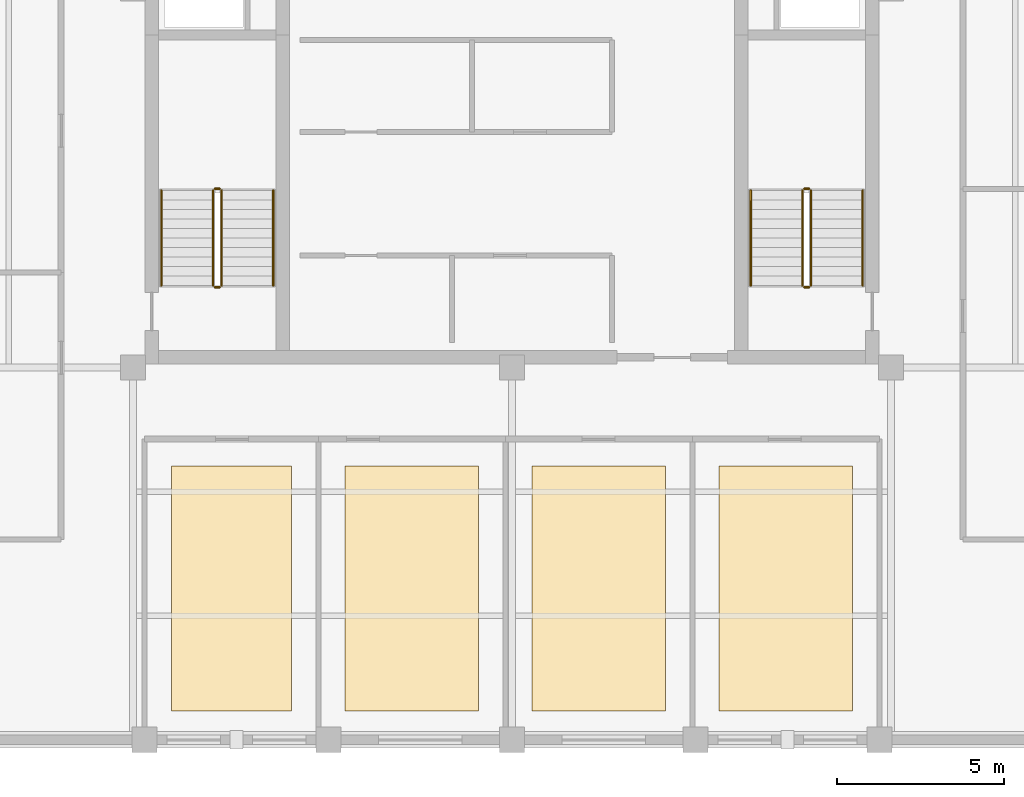
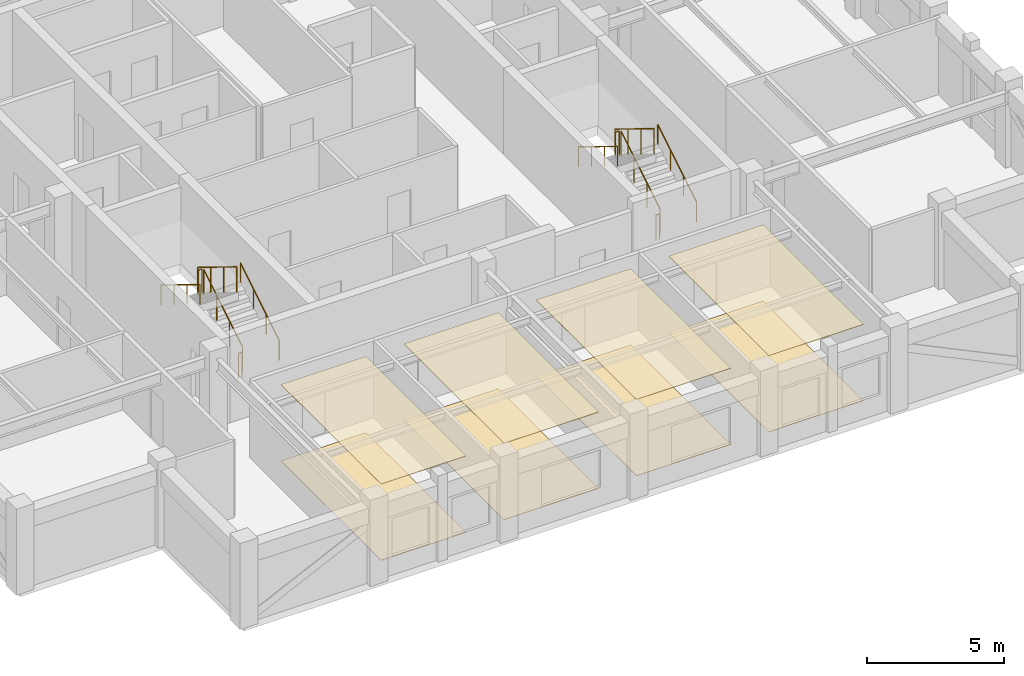
# One storey, part 9 of 10: 12 railings, 8 coverings.
"""IFC4 building model written with IfcOpenShell, lengths in metres."""

from ifc_helpers import new_model, si_unit, direction, frame, origin, origin_2d, place, context, subcontext, project, spatial, polyline, circle, outline, extrude, material, layer, layer_set, type_object, element, save


model = new_model("IFC4")

# Units and contexts
model_context = context("Model", 3, precision=1e-05, world=origin(), true_north=direction((0.0, 1.0)))
body_context = subcontext(model_context, "Body", "Model", "MODEL_VIEW")
ifc_project = project(units=[si_unit("LENGTHUNIT", "METRE"), si_unit("AREAUNIT", "SQUARE_METRE"), si_unit("VOLUMEUNIT", "CUBIC_METRE"), si_unit("PLANEANGLEUNIT", "RADIAN"), si_unit("MASSUNIT", "GRAM", prefix="KILO")], contexts=[model_context])

# Site, building, storey
site_placement = place(None, origin())
site = spatial("IfcSite", under=ifc_project, at=site_placement, CompositionType="ELEMENT")
building_placement = place(site_placement, origin())
building = spatial("IfcBuilding", under=site, at=building_placement, Name="Nhamokura Convention Tower", CompositionType="ELEMENT")
storey_placement = place(building_placement, frame((0.0, 0.0, 262.14990234375)))
storey = spatial("IfcBuildingStorey", under=building, at=storey_placement, Name="L64", CompositionType="ELEMENT", Elevation=262.14990234375)

# Coverings
ifc_material_1 = material(Name="Mineral-fibre acoustic ceiling tile", Category="gypsum")
ifc_layer_1 = layer(ifc_material_1, 0.02490234375)
ifc_layer_set_1 = layer_set([ifc_layer_1], Name="AcousticTileCeiling_25")
covering_type_1 = type_object("IfcCoveringType", Name="AcousticTileCeiling_25", PredefinedType="CEILING", material=ifc_layer_set_1)
covering_1_placement = place(storey_placement, frame((0.0, 0.0, 3.405029296875)))
element("IfcCovering", 1, at=covering_1_placement, inside=storey, type_object=covering_type_1, Name="L64 Suspended Ceiling 01", PredefinedType="CEILING", context=body_context, shape_type="SweptSolid", body=[
    extrude(outline(polyline([(21.800048828125, 10.360107421875), (25.39990234375, 10.360107421875), (25.39990234375, 17.699951171875), (21.800048828125, 17.699951171875), (21.800048828125, 10.360107421875)])), origin(), (0.0, 0.0, 1.0), 0.025146484375),
])
covering_2_placement = place(storey_placement, frame((0.0, 0.0, 3.405029296875)))
element("IfcCovering", 2, at=covering_2_placement, inside=storey, type_object=covering_type_1, Name="L64 Suspended Ceiling 02", PredefinedType="CEILING", context=body_context, shape_type="SweptSolid", body=[
    extrude(outline(polyline([(27.0, 10.360107421875), (31.0, 10.360107421875), (31.0, 17.699951171875), (27.0, 17.699951171875), (27.0, 10.360107421875)])), origin(), (0.0, 0.0, 1.0), 0.025146484375),
])
covering_3_placement = place(storey_placement, frame((0.0, 0.0, 3.405029296875)))
element("IfcCovering", 3, at=covering_3_placement, inside=storey, type_object=covering_type_1, Name="L64 Suspended Ceiling 03", PredefinedType="CEILING", context=body_context, shape_type="SweptSolid", body=[
    extrude(outline(polyline([(32.60009765625, 10.360107421875), (36.60009765625, 10.360107421875), (36.60009765625, 17.699951171875), (32.60009765625, 17.699951171875), (32.60009765625, 10.360107421875)])), origin(), (0.0, 0.0, 1.0), 0.025146484375),
])
covering_4_placement = place(storey_placement, frame((0.0, 0.0, 3.405029296875)))
element("IfcCovering", 4, at=covering_4_placement, inside=storey, type_object=covering_type_1, Name="L64 Suspended Ceiling 04", PredefinedType="CEILING", context=body_context, shape_type="SweptSolid", body=[
    extrude(outline(polyline([(38.199951171875, 10.360107421875), (42.199951171875, 10.360107421875), (42.199951171875, 17.699951171875), (38.199951171875, 17.699951171875), (38.199951171875, 10.360107421875)])), origin(), (0.0, 0.0, 1.0), 0.025146484375),
])

# Railings
ifc_material_2 = material(Name="Anodised bronze stainless steel", Category="steel")
railing_type_1 = type_object("IfcRailingType", Name="StairWallHandrail_900", PredefinedType="HANDRAIL", material=ifc_material_2)
railing_1_placement = place(storey_placement, frame((24.85009765625, 23.10009765625, 0.175048828125)))
element("IfcRailing", 5, at=railing_1_placement, inside=storey, type_object=railing_type_1, Name="L64 ST-01 stair handrail 1", PredefinedType="HANDRAIL", context=body_context, shape_type="SweptSolid", body=[
    extrude(circle(Radius=0.02392578125, at=origin_2d()), frame((0.0, 0.0, 0.8759765625), z_axis=(0.0, 0.852159232446, 0.523282564737), x_axis=(-1.0, 0.0, 0.0)), (0.0, 0.0, 1.0), 3.34423828125),
    extrude(circle(Radius=0.02099609375, at=origin_2d()), origin(), (0.0, 0.0, 1.0), 0.851806640625),
    extrude(circle(Radius=0.02099609375, at=origin_2d()), frame((0.0, 0.949951171875, 0.583251953125)), (0.0, 0.0, 1.0), 0.851806640625),
    extrude(circle(Radius=0.02099609375, at=origin_2d()), frame((0.0, 1.89990234375, 1.166748046875)), (0.0, 0.0, 1.0), 0.851806640625),
    extrude(circle(Radius=0.02099609375, at=origin_2d()), frame((0.0, 2.849853515625, 1.75)), (0.0, 0.0, 1.0), 0.851806640625),
])
railing_2_placement = place(storey_placement, frame((21.5, 25.949951171875, 2.10009765625)))
element("IfcRailing", 6, at=railing_2_placement, inside=storey, type_object=railing_type_1, Name="L64 ST-01 stair handrail 2", PredefinedType="HANDRAIL", context=body_context, shape_type="SweptSolid", body=[
    extrude(circle(Radius=0.02392578125, at=origin_2d()), frame((0.0, 0.0, 0.8759765625), z_axis=(0.0, -0.852159232446, 0.523282564737), x_axis=(1.0, 0.0, 0.0)), (0.0, 0.0, 1.0), 3.34423828125),
    extrude(circle(Radius=0.02099609375, at=origin_2d()), origin(), (0.0, 0.0, 1.0), 0.851806640625),
    extrude(circle(Radius=0.02099609375, at=origin_2d()), frame((0.0, -0.949951171875, 0.583251953125)), (0.0, 0.0, 1.0), 0.851806640625),
    extrude(circle(Radius=0.02099609375, at=origin_2d()), frame((0.0, -1.89990234375, 1.166748046875)), (0.0, 0.0, 1.0), 0.851806640625),
    extrude(circle(Radius=0.02099609375, at=origin_2d()), frame((0.0, -2.849853515625, 1.75)), (0.0, 0.0, 1.0), 0.851806640625),
])
railing_3_placement = place(storey_placement, frame((42.5, 23.10009765625, 0.175048828125)))
element("IfcRailing", 7, at=railing_3_placement, inside=storey, type_object=railing_type_1, Name="L64 ST-02 stair handrail 1", PredefinedType="HANDRAIL", context=body_context, shape_type="SweptSolid", body=[
    extrude(circle(Radius=0.02392578125, at=origin_2d()), frame((0.0, 0.0, 0.8759765625), z_axis=(0.0, 0.852159232446, 0.523282564737), x_axis=(-1.0, 0.0, 0.0)), (0.0, 0.0, 1.0), 3.34423828125),
    extrude(circle(Radius=0.02099609375, at=origin_2d()), origin(), (0.0, 0.0, 1.0), 0.851806640625),
    extrude(circle(Radius=0.02099609375, at=origin_2d()), frame((0.0, 0.949951171875, 0.583251953125)), (0.0, 0.0, 1.0), 0.851806640625),
    extrude(circle(Radius=0.02099609375, at=origin_2d()), frame((0.0, 1.89990234375, 1.166748046875)), (0.0, 0.0, 1.0), 0.851806640625),
    extrude(circle(Radius=0.02099609375, at=origin_2d()), frame((0.0, 2.849853515625, 1.75)), (0.0, 0.0, 1.0), 0.851806640625),
])
railing_4_placement = place(storey_placement, frame((39.14990234375, 25.949951171875, 2.10009765625)))
element("IfcRailing", 8, at=railing_4_placement, inside=storey, type_object=railing_type_1, Name="L64 ST-02 stair handrail 2", PredefinedType="HANDRAIL", context=body_context, shape_type="SweptSolid", body=[
    extrude(circle(Radius=0.02392578125, at=origin_2d()), frame((0.0, 0.0, 0.8759765625), z_axis=(0.0, -0.852159232446, 0.523282564737), x_axis=(1.0, 0.0, 0.0)), (0.0, 0.0, 1.0), 3.34423828125),
    extrude(circle(Radius=0.02099609375, at=origin_2d()), origin(), (0.0, 0.0, 1.0), 0.851806640625),
    extrude(circle(Radius=0.02099609375, at=origin_2d()), frame((0.0, -0.949951171875, 0.583251953125)), (0.0, 0.0, 1.0), 0.851806640625),
    extrude(circle(Radius=0.02099609375, at=origin_2d()), frame((0.0, -1.89990234375, 1.166748046875)), (0.0, 0.0, 1.0), 0.851806640625),
    extrude(circle(Radius=0.02099609375, at=origin_2d()), frame((0.0, -2.849853515625, 1.75)), (0.0, 0.0, 1.0), 0.851806640625),
])
ifc_material_3 = material(Name="Painted tubular steel", Category="steel")
railing_type_2 = type_object("IfcRailingType", Name="StairWellGuardrail_1150", PredefinedType="GUARDRAIL", material=ifc_material_3)
railing_5_placement = place(storey_placement, frame((23.300048828125, 23.10009765625, 0.175048828125)))
element("IfcRailing", 9, at=railing_5_placement, inside=storey, type_object=railing_type_2, Name="L64 ST-01 stair guard 1", PredefinedType="GUARDRAIL", context=body_context, shape_type="SweptSolid", body=[
    extrude(circle(Radius=0.02392578125, at=origin_2d()), frame((0.0, 0.0, 1.1259765625), z_axis=(0.0, 0.852159232446, 0.523282564737), x_axis=(-1.0, 0.0, 0.0)), (0.0, 0.0, 1.0), 3.34423828125),
    extrude(circle(Radius=0.02099609375, at=origin_2d()), origin(), (0.0, 0.0, 1.0), 1.101806640625),
    extrude(circle(Radius=0.02099609375, at=origin_2d()), frame((0.0, 0.949951171875, 0.583251953125)), (0.0, 0.0, 1.0), 1.101806640625),
    extrude(circle(Radius=0.02099609375, at=origin_2d()), frame((0.0, 1.89990234375, 1.166748046875)), (0.0, 0.0, 1.0), 1.101806640625),
    extrude(circle(Radius=0.02099609375, at=origin_2d()), frame((0.0, 2.849853515625, 1.75)), (0.0, 0.0, 1.0), 1.101806640625),
])
railing_6_placement = place(storey_placement, frame((23.25, 26.0, 1.925048828125)))
element("IfcRailing", 10, at=railing_6_placement, inside=storey, type_object=railing_type_2, Name="L64 ST-01 stair guard 2", PredefinedType="GUARDRAIL", context=body_context, shape_type="SweptSolid", body=[
    extrude(circle(Radius=0.02392578125, at=origin_2d()), frame((0.0, 0.0, 1.1259765625), z_axis=(-1.0, 0.0, 0.0), x_axis=(0.0, -1.0, 0.0)), (0.0, 0.0, 1.0), 0.14990234375),
    extrude(circle(Radius=0.02099609375, at=origin_2d()), origin(), (0.0, 0.0, 1.0), 1.101806640625),
    extrude(circle(Radius=0.02099609375, at=origin_2d()), frame((-0.14990234375, 0.0, 0.0)), (0.0, 0.0, 1.0), 1.101806640625),
])
railing_7_placement = place(storey_placement, frame((23.050048828125, 25.949951171875, 2.10009765625)))
element("IfcRailing", 11, at=railing_7_placement, inside=storey, type_object=railing_type_2, Name="L64 ST-01 stair guard 3", PredefinedType="GUARDRAIL", context=body_context, shape_type="SweptSolid", body=[
    extrude(circle(Radius=0.02392578125, at=origin_2d()), frame((0.0, 0.0, 1.1259765625), z_axis=(0.0, -0.852159232446, 0.523282564737), x_axis=(1.0, 0.0, 0.0)), (0.0, 0.0, 1.0), 3.34423828125),
    extrude(circle(Radius=0.02099609375, at=origin_2d()), origin(), (0.0, 0.0, 1.0), 1.101806640625),
    extrude(circle(Radius=0.02099609375, at=origin_2d()), frame((0.0, -0.949951171875, 0.583251953125)), (0.0, 0.0, 1.0), 1.101806640625),
    extrude(circle(Radius=0.02099609375, at=origin_2d()), frame((0.0, -1.89990234375, 1.166748046875)), (0.0, 0.0, 1.0), 1.101806640625),
    extrude(circle(Radius=0.02099609375, at=origin_2d()), frame((0.0, -2.849853515625, 1.75)), (0.0, 0.0, 1.0), 1.101806640625),
])
railing_8_placement = place(storey_placement, frame((23.25, 23.050048828125, 0.0)))
element("IfcRailing", 12, at=railing_8_placement, inside=storey, type_object=railing_type_2, Name="L64 ST-01 stair guard 4", PredefinedType="GUARDRAIL", context=body_context, shape_type="SweptSolid", body=[
    extrude(circle(Radius=0.02392578125, at=origin_2d()), frame((0.0, 0.0, 1.1259765625), z_axis=(-1.0, 0.0, 0.0), x_axis=(0.0, -1.0, 0.0)), (0.0, 0.0, 1.0), 0.14990234375),
    extrude(circle(Radius=0.02099609375, at=origin_2d()), origin(), (0.0, 0.0, 1.0), 1.101806640625),
    extrude(circle(Radius=0.02099609375, at=origin_2d()), frame((-0.14990234375, 0.0, 0.0)), (0.0, 0.0, 1.0), 1.101806640625),
])
railing_9_placement = place(storey_placement, frame((40.949951171875, 23.10009765625, 0.175048828125)))
element("IfcRailing", 13, at=railing_9_placement, inside=storey, type_object=railing_type_2, Name="L64 ST-02 stair guard 1", PredefinedType="GUARDRAIL", context=body_context, shape_type="SweptSolid", body=[
    extrude(circle(Radius=0.02392578125, at=origin_2d()), frame((0.0, 0.0, 1.1259765625), z_axis=(0.0, 0.852159232446, 0.523282564737), x_axis=(-1.0, 0.0, 0.0)), (0.0, 0.0, 1.0), 3.34423828125),
    extrude(circle(Radius=0.02099609375, at=origin_2d()), origin(), (0.0, 0.0, 1.0), 1.101806640625),
    extrude(circle(Radius=0.02099609375, at=origin_2d()), frame((0.0, 0.949951171875, 0.583251953125)), (0.0, 0.0, 1.0), 1.101806640625),
    extrude(circle(Radius=0.02099609375, at=origin_2d()), frame((0.0, 1.89990234375, 1.166748046875)), (0.0, 0.0, 1.0), 1.101806640625),
    extrude(circle(Radius=0.02099609375, at=origin_2d()), frame((0.0, 2.849853515625, 1.75)), (0.0, 0.0, 1.0), 1.101806640625),
])
railing_10_placement = place(storey_placement, frame((40.89990234375, 26.0, 1.925048828125)))
element("IfcRailing", 14, at=railing_10_placement, inside=storey, type_object=railing_type_2, Name="L64 ST-02 stair guard 2", PredefinedType="GUARDRAIL", context=body_context, shape_type="SweptSolid", body=[
    extrude(circle(Radius=0.02392578125, at=origin_2d()), frame((0.0, 0.0, 1.1259765625), z_axis=(-1.0, 0.0, 0.0), x_axis=(0.0, -1.0, 0.0)), (0.0, 0.0, 1.0), 0.14990234375),
    extrude(circle(Radius=0.02099609375, at=origin_2d()), origin(), (0.0, 0.0, 1.0), 1.101806640625),
    extrude(circle(Radius=0.02099609375, at=origin_2d()), frame((-0.14990234375, 0.0, 0.0)), (0.0, 0.0, 1.0), 1.101806640625),
])
railing_11_placement = place(storey_placement, frame((40.699951171875, 25.949951171875, 2.10009765625)))
element("IfcRailing", 15, at=railing_11_placement, inside=storey, type_object=railing_type_2, Name="L64 ST-02 stair guard 3", PredefinedType="GUARDRAIL", context=body_context, shape_type="SweptSolid", body=[
    extrude(circle(Radius=0.02392578125, at=origin_2d()), frame((0.0, 0.0, 1.1259765625), z_axis=(0.0, -0.852159232446, 0.523282564737), x_axis=(1.0, 0.0, 0.0)), (0.0, 0.0, 1.0), 3.34423828125),
    extrude(circle(Radius=0.02099609375, at=origin_2d()), origin(), (0.0, 0.0, 1.0), 1.101806640625),
    extrude(circle(Radius=0.02099609375, at=origin_2d()), frame((0.0, -0.949951171875, 0.583251953125)), (0.0, 0.0, 1.0), 1.101806640625),
    extrude(circle(Radius=0.02099609375, at=origin_2d()), frame((0.0, -1.89990234375, 1.166748046875)), (0.0, 0.0, 1.0), 1.101806640625),
    extrude(circle(Radius=0.02099609375, at=origin_2d()), frame((0.0, -2.849853515625, 1.75)), (0.0, 0.0, 1.0), 1.101806640625),
])
railing_12_placement = place(storey_placement, frame((40.89990234375, 23.050048828125, 0.0)))
element("IfcRailing", 16, at=railing_12_placement, inside=storey, type_object=railing_type_2, Name="L64 ST-02 stair guard 4", PredefinedType="GUARDRAIL", context=body_context, shape_type="SweptSolid", body=[
    extrude(circle(Radius=0.02392578125, at=origin_2d()), frame((0.0, 0.0, 1.1259765625), z_axis=(-1.0, 0.0, 0.0), x_axis=(0.0, -1.0, 0.0)), (0.0, 0.0, 1.0), 0.14990234375),
    extrude(circle(Radius=0.02099609375, at=origin_2d()), origin(), (0.0, 0.0, 1.0), 1.101806640625),
    extrude(circle(Radius=0.02099609375, at=origin_2d()), frame((-0.14990234375, 0.0, 0.0)), (0.0, 0.0, 1.0), 1.101806640625),
])

# Coverings
ifc_material_4 = material(Name="Acoustic woven hospitality carpet", Category="wood")
ifc_layer_2 = layer(ifc_material_4, 0.014892578125)
ifc_layer_set_2 = layer_set([ifc_layer_2], Name="WovenCarpetFlooring_15")
covering_type_2 = type_object("IfcCoveringType", Name="WovenCarpetFlooring_15", PredefinedType="FLOORING", material=ifc_layer_set_2)
covering_5_placement = place(storey_placement, origin())
element("IfcCovering", 17, at=covering_5_placement, inside=storey, type_object=covering_type_2, Name="L64 Finish Flooring 01", PredefinedType="FLOORING", context=body_context, shape_type="SweptSolid", body=[
    extrude(outline(polyline([(21.800048828125, 10.360107421875), (25.39990234375, 10.360107421875), (25.39990234375, 17.699951171875), (21.800048828125, 17.699951171875), (21.800048828125, 10.360107421875)])), origin(), (0.0, 0.0, 1.0), 0.01513671875),
])
covering_6_placement = place(storey_placement, origin())
element("IfcCovering", 18, at=covering_6_placement, inside=storey, type_object=covering_type_2, Name="L64 Finish Flooring 02", PredefinedType="FLOORING", context=body_context, shape_type="SweptSolid", body=[
    extrude(outline(polyline([(27.0, 10.360107421875), (31.0, 10.360107421875), (31.0, 17.699951171875), (27.0, 17.699951171875), (27.0, 10.360107421875)])), origin(), (0.0, 0.0, 1.0), 0.01513671875),
])
covering_7_placement = place(storey_placement, origin())
element("IfcCovering", 19, at=covering_7_placement, inside=storey, type_object=covering_type_2, Name="L64 Finish Flooring 03", PredefinedType="FLOORING", context=body_context, shape_type="SweptSolid", body=[
    extrude(outline(polyline([(32.60009765625, 10.360107421875), (36.60009765625, 10.360107421875), (36.60009765625, 17.699951171875), (32.60009765625, 17.699951171875), (32.60009765625, 10.360107421875)])), origin(), (0.0, 0.0, 1.0), 0.01513671875),
])
covering_8_placement = place(storey_placement, origin())
element("IfcCovering", 20, at=covering_8_placement, inside=storey, type_object=covering_type_2, Name="L64 Finish Flooring 04", PredefinedType="FLOORING", context=body_context, shape_type="SweptSolid", body=[
    extrude(outline(polyline([(38.199951171875, 10.360107421875), (42.199951171875, 10.360107421875), (42.199951171875, 17.699951171875), (38.199951171875, 17.699951171875), (38.199951171875, 10.360107421875)])), origin(), (0.0, 0.0, 1.0), 0.01513671875),
])

save(model, "model.ifc")
